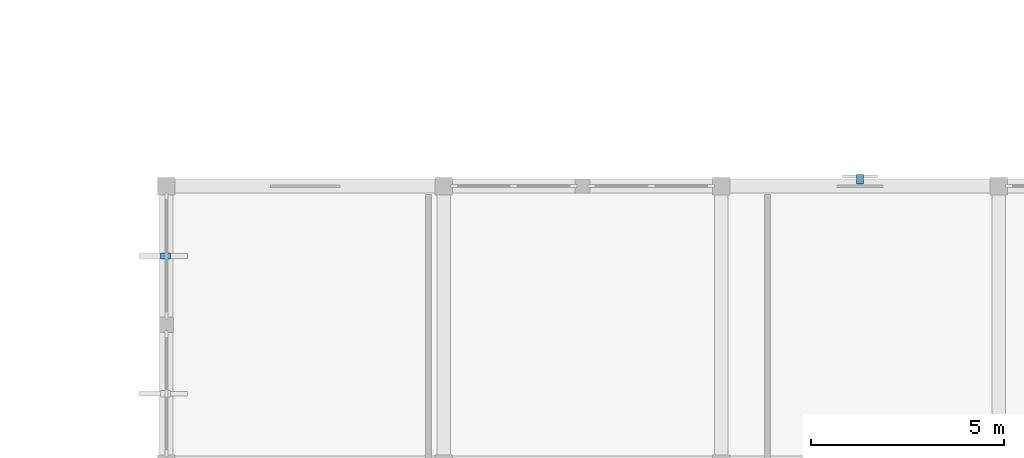
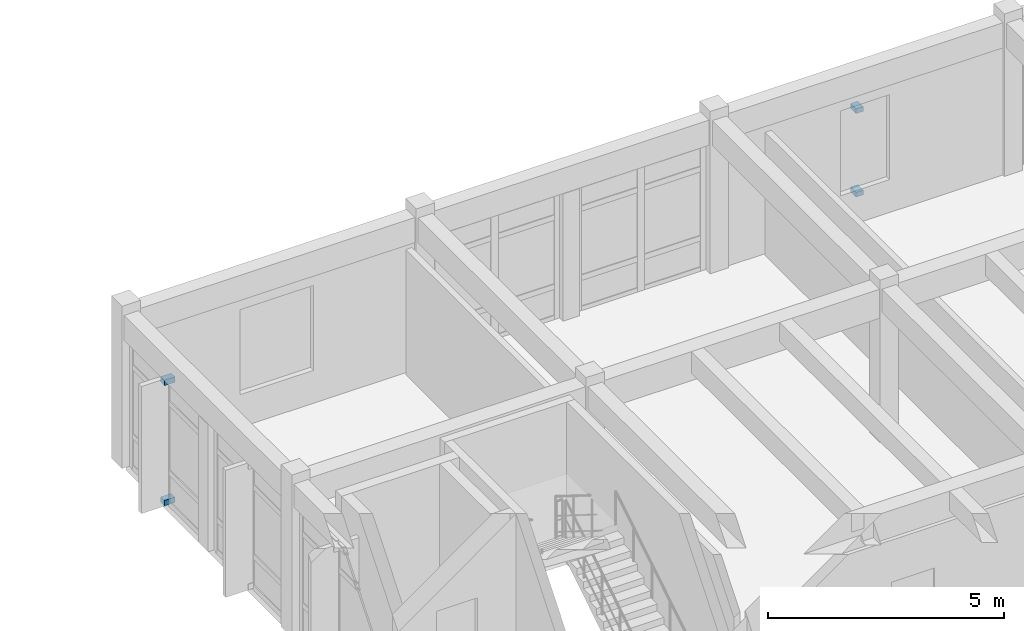
# One storey, part 124 of 136: 4 discrete accessories.
"""IFC4 building model written with IfcOpenShell, lengths in metres."""

from ifc_helpers import new_model, si_unit, direction, frame, origin, origin_2d, place, context, subcontext, project, spatial, rectangle, extrude, material, type_object, element, save


model = new_model("IFC4")

# Units and contexts
model_context = context("Model", 3, precision=1e-05, world=origin(), true_north=direction((0.0, 1.0)))
body_context = subcontext(model_context, "Body", "Model", "MODEL_VIEW")
ifc_project = project(units=[si_unit("LENGTHUNIT", "METRE"), si_unit("AREAUNIT", "SQUARE_METRE"), si_unit("VOLUMEUNIT", "CUBIC_METRE"), si_unit("PLANEANGLEUNIT", "RADIAN"), si_unit("MASSUNIT", "GRAM", prefix="KILO")], contexts=[model_context])

# Site, building, storey
site_placement = place(None, origin())
site = spatial("IfcSite", under=ifc_project, at=site_placement, CompositionType="ELEMENT")
building_placement = place(site_placement, origin())
building = spatial("IfcBuilding", under=site, at=building_placement, Name="Koriwan Promenade Central Fire Station", CompositionType="ELEMENT")
storey_placement = place(building_placement, frame((0.0, 0.0, 5.39990234375)))
storey = spatial("IfcBuildingStorey", under=building, at=storey_placement, Name="L01", CompositionType="ELEMENT", Elevation=5.39990234375)

# Discrete accessories
ifc_material = material(Name="Steel ASTM A572 Grade 50", Category="steel")
discrete_accessory_type_1 = type_object("IfcDiscreteAccessoryType", Name="FacadeBracket_Fin", PredefinedType="BRACKET", material=ifc_material)
for number, where, z_axis, x_axis, name in (
    (1, (28.780029296875, 70.1875, 0.02001953125), (0.0, 0.0, 1.0), (-1.0, 0.0, 0.0), "Solar fin outrigger bracket 007-BOT"),
    (2, (28.780029296875, 70.1875, 3.13037109375), (0.0, 0.0, 1.0), (-1.0, 0.0, 0.0), "Solar fin outrigger bracket 007-TOP"),
):
    element("IfcDiscreteAccessory", number, at=place(storey_placement, frame(where, z_axis=z_axis, x_axis=x_axis)), inside=storey, type_object=discrete_accessory_type_1, Name=name, PredefinedType="BRACKET", context=body_context, shape_type="SweptSolid", body=[
        extrude(rectangle(XDim=0.260009765625, YDim=0.159912109375, at=origin_2d()), origin(), (0.0, 0.0, 1.0), 0.139892578125),
    ])
discrete_accessory_type_2 = type_object("IfcDiscreteAccessoryType", Name="FacadeBracket_Jali", PredefinedType="BRACKET", material=ifc_material)
for number, where, z_axis, x_axis, name in (
    (3, (46.800048828125, 72.179931640625, 0.505126953125), (0.0, 0.0, 1.0), (0.0, 1.0, 0.0), "Jali corbel bracket 009-B"),
    (4, (46.800048828125, 72.179931640625, 2.6650390625), (0.0, 0.0, 1.0), (0.0, 1.0, 0.0), "Jali corbel bracket 009-T"),
):
    element("IfcDiscreteAccessory", number, at=place(storey_placement, frame(where, z_axis=z_axis, x_axis=x_axis)), inside=storey, type_object=discrete_accessory_type_2, Name=name, PredefinedType="BRACKET", context=body_context, shape_type="SweptSolid", body=[
        extrude(rectangle(XDim=0.239990234375, YDim=0.179931640625, at=origin_2d()), origin(), (0.0, 0.0, 1.0), 0.1201171875),
    ])

save(model, "model.ifc")
